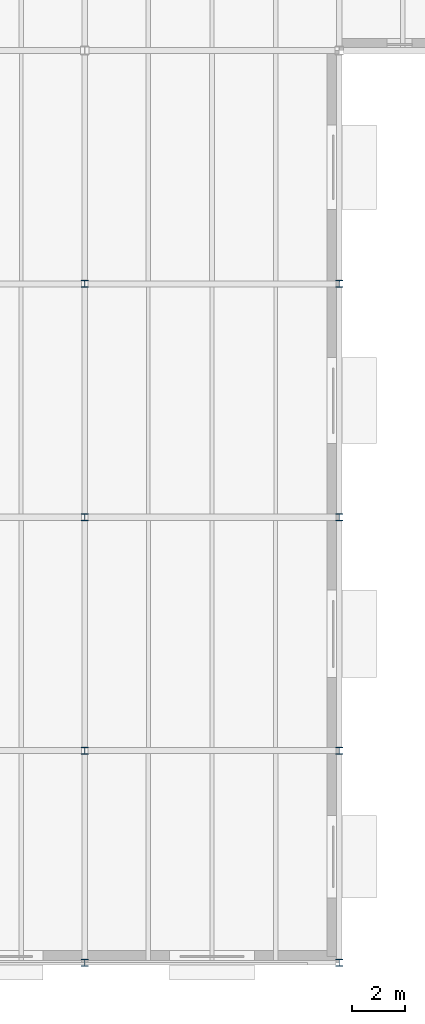
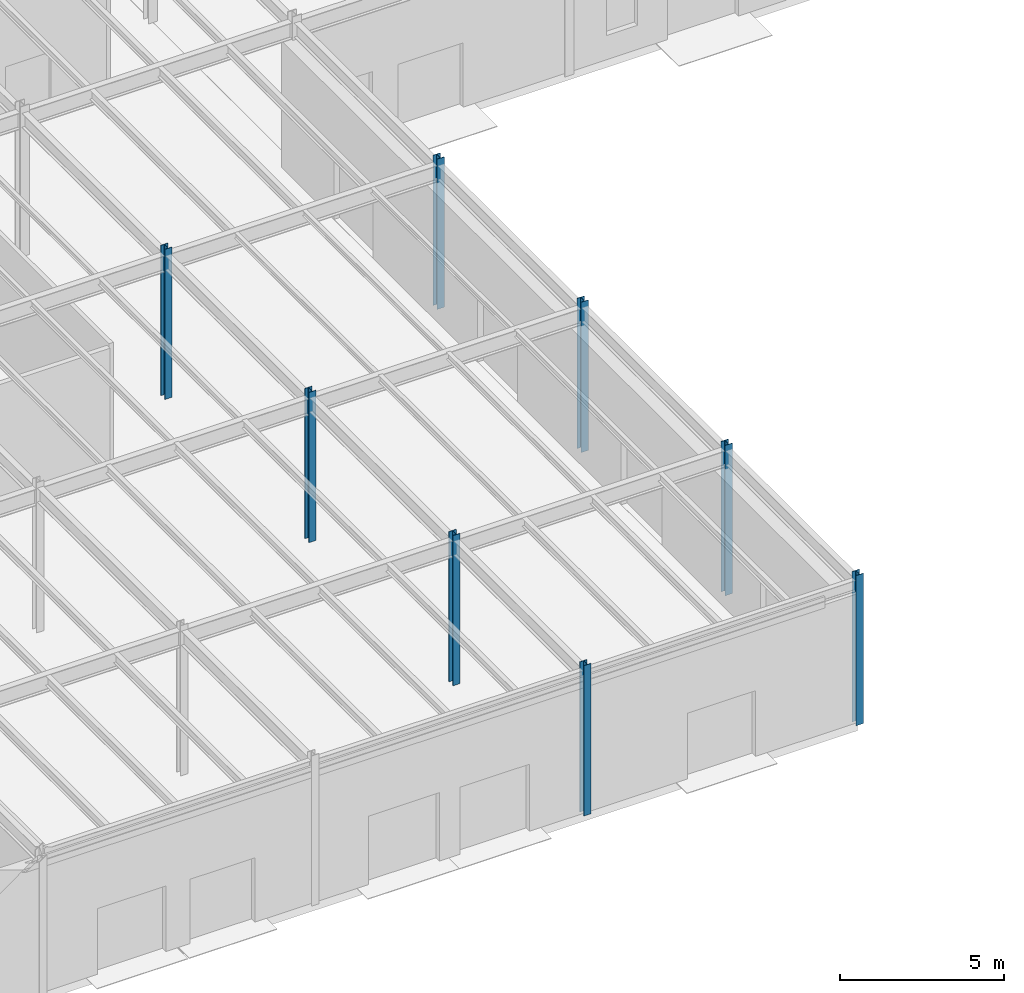
# One storey, part 7 of 70: 8 columns.
"""IFC4 building model written with IfcOpenShell, lengths in metres."""

from ifc_helpers import new_model, si_unit, direction, frame, origin, origin_2d, place, context, subcontext, project, spatial, i_section, extrude, material, material_profile, profile_set, type_object, element, save


model = new_model("IFC4")

# Units and contexts
model_context = context("Model", 3, precision=1e-05, world=origin(), true_north=direction((0.0, 1.0)))
body_context = subcontext(model_context, "Body", "Model", "MODEL_VIEW")
ifc_project = project(units=[si_unit("LENGTHUNIT", "METRE"), si_unit("AREAUNIT", "SQUARE_METRE"), si_unit("VOLUMEUNIT", "CUBIC_METRE"), si_unit("PLANEANGLEUNIT", "RADIAN"), si_unit("MASSUNIT", "GRAM", prefix="KILO")], contexts=[model_context])

# Site, building, storey
site_placement = place(None, origin())
site = spatial("IfcSite", under=ifc_project, at=site_placement, CompositionType="ELEMENT")
building_placement = place(site_placement, origin())
building = spatial("IfcBuilding", under=site, at=building_placement, Name="Sarnbrook Museum", CompositionType="ELEMENT")
storey_placement = place(building_placement, origin())
storey = spatial("IfcBuildingStorey", under=building, at=storey_placement, Name="L00", CompositionType="ELEMENT", Elevation=0.0)

# Columns
ifc_material = material(Name="Structural Steel Grade 300PLUS (AS/NZS 3679.1, fy = 280 MPa for 17 < t <= 40 mm, 300 MPa for t <= 17 mm)", Category="steel")
ifc_material_profile = material_profile(ifc_material, i_section(OverallWidth=0.256103515625, OverallDepth=0.260009765625, WebThickness=0.010498046875, FlangeThickness=0.017333984375, FilletRadius=0.0126953125, at=origin_2d()), Name="250UC89.5")
ifc_profile_set = profile_set([ifc_material_profile], Name="Structural Steel Grade 300PLUS (AS/NZS 3679.1, fy = 280 MPa for 17 < t <= 40 mm, 300 MPa for t <= 17 mm)")
column_type = type_object("IfcColumnType", Name="COL-UC250H", PredefinedType="COLUMN", material=ifc_profile_set)
for number, where, z_axis, x_axis, name in (
    (1, (109.60009765625, 4.800048828125, 0.0), (0.0, 0.0, 1.0), (1.0, 0.0, 0.0), "Column 12-A L00"),
    (2, (109.60009765625, 12.800048828125, 0.0), (0.0, 0.0, 1.0), (1.0, 0.0, 0.0), "Column 12-B L00"),
    (3, (109.60009765625, 21.60009765625, 0.0), (0.0, 0.0, 1.0), (1.0, 0.0, 0.0), "Column 12-C L00"),
    (4, (109.60009765625, 30.39990234375, 0.0), (0.0, 0.0, 1.0), (1.0, 0.0, 0.0), "Column 12-D L00"),
    (5, (119.199951171875, 4.800048828125, 0.0), (0.0, 0.0, 1.0), (1.0, 0.0, 0.0), "Column 13-A L00"),
    (6, (119.199951171875, 12.800048828125, 0.0), (0.0, 0.0, 1.0), (1.0, 0.0, 0.0), "Column 13-B L00"),
    (7, (119.199951171875, 21.60009765625, 0.0), (0.0, 0.0, 1.0), (1.0, 0.0, 0.0), "Column 13-C L00"),
    (8, (119.199951171875, 30.39990234375, 0.0), (0.0, 0.0, 1.0), (1.0, 0.0, 0.0), "Column 13-D L00"),
):
    element("IfcColumn", number, at=place(storey_placement, frame(where, z_axis=z_axis, x_axis=x_axis)), inside=storey, type_object=column_type, Name=name, PredefinedType="COLUMN", context=body_context, shape_type="SweptSolid", body=[
        extrude(i_section(OverallWidth=0.256103515625, OverallDepth=0.260009765625, WebThickness=0.010498046875, FlangeThickness=0.017333984375, FilletRadius=0.0126953125, at=origin_2d()), origin(), (0.0, 0.0, 1.0), 5.60009765625),
    ])

save(model, "model.ifc")
